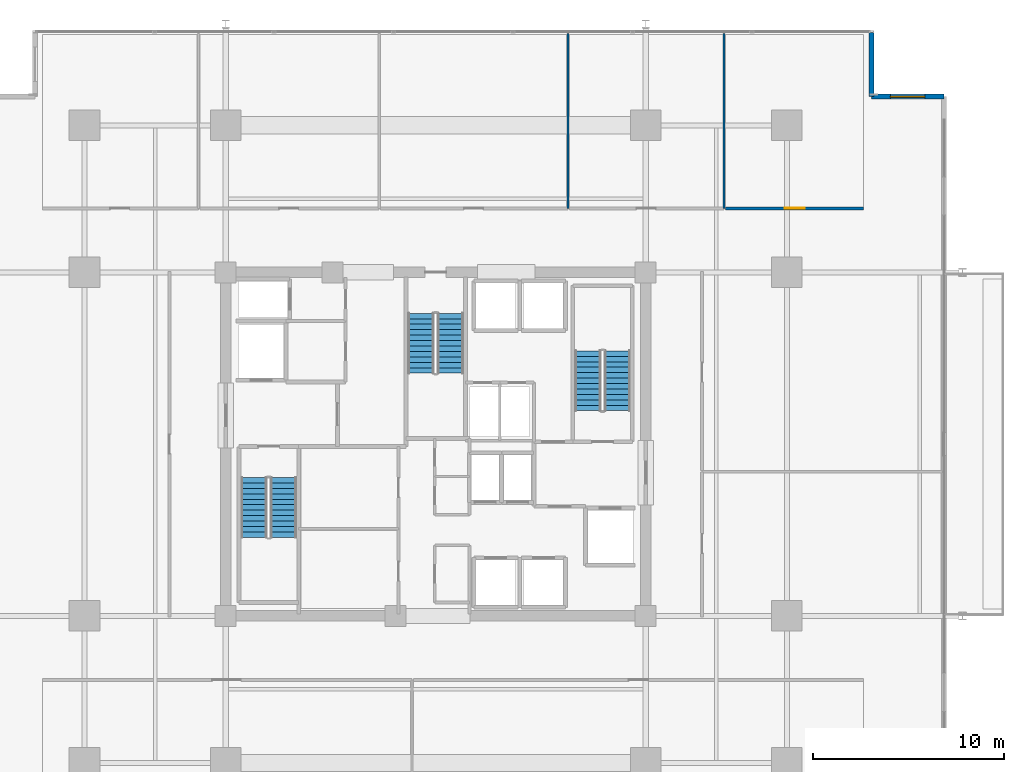
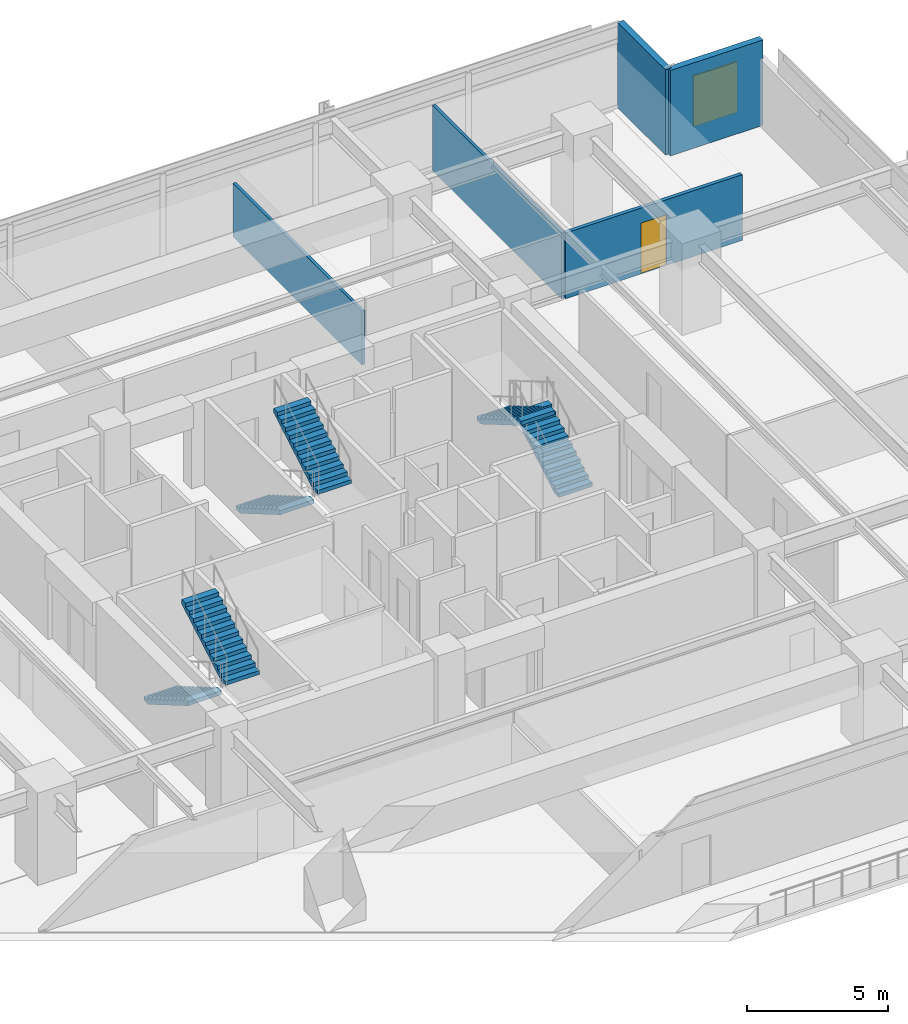
# One storey, part 17 of 22: 6 stair flights, 5 walls, 1 door, 1 window, 2 openings, 3 elements without a shape of their own.
"""IFC4 building model written with IfcOpenShell, lengths in metres."""

from ifc_helpers import new_model, si_unit, direction, frame, frame_2d, origin, place, context, subcontext, project, spatial, polyline, rectangle, outline, extrude, material, layer, layer_set, type_object, element, fill, aggregate, save


model = new_model("IFC4")

# Units and contexts
model_context = context("Model", 3, precision=1e-05, world=origin(), true_north=direction((0.0, 1.0)))
body_context = subcontext(model_context, "Body", "Model", "MODEL_VIEW")
ifc_project = project(units=[si_unit("LENGTHUNIT", "METRE"), si_unit("AREAUNIT", "SQUARE_METRE"), si_unit("VOLUMEUNIT", "CUBIC_METRE"), si_unit("PLANEANGLEUNIT", "RADIAN"), si_unit("MASSUNIT", "GRAM", prefix="KILO")], contexts=[model_context])

# Site, building, storey
site_placement = place(None, origin())
site = spatial("IfcSite", under=ifc_project, at=site_placement, CompositionType="ELEMENT")
building_placement = place(site_placement, origin())
building = spatial("IfcBuilding", under=site, at=building_placement, Name="Kovane Verandah Tower", CompositionType="ELEMENT")
storey_placement = place(building_placement, frame((0.0, 0.0, 180.39990234375)))
storey = spatial("IfcBuildingStorey", under=building, at=storey_placement, Name="L42", CompositionType="ELEMENT", Elevation=180.39990234375)

# Wall, opening, door
ifc_material_1 = material(Name="Fire-Rated Gypsum Stud Partition", Category="gypsum")
ifc_layer_1 = layer(ifc_material_1, 0.14990234375)
ifc_layer_set_1 = layer_set([ifc_layer_1], Name="Fire-Rated Gypsum Stud Partition")
wall_type_1 = type_object("IfcWallType", Name="WL-COR-150", PredefinedType="PARTITIONING", material=ifc_layer_set_1)
wall_1_placement = place(storey_placement, frame((55.176513671875, 39.85009765625, 0.0), z_axis=(0.0, 0.0, 1.0), x_axis=(1.0, 0.0, 0.0)))
wall_1 = element("IfcWall", 1, at=wall_1_placement, inside=storey, type_object=wall_type_1, Name="L42 Executive Office N5 Corridor Partition", PredefinedType="PARTITIONING", context=body_context, shape_type="SweptSolid", body=[
    extrude(rectangle(XDim=7.243408203125, YDim=0.14990234375, at=frame_2d((3.62158203125, 0.0))), origin(), (0.0, 0.0, 1.0), 2.85009765625),
])
opening_1_placement = place(wall_1_placement, frame((3.0966796875, 0.0, 0.0)))
opening_1 = element("IfcOpeningElement", 2, at=opening_1_placement, cuts=wall_1, Name="Opening DR-L42-022", PredefinedType="OPENING", context=body_context, shape_type="SweptSolid", body=[
    extrude(rectangle(XDim=1.050048828125, YDim=2.199951171875, at=frame_2d((0.52490234375, 1.10009765625))), frame((0.0, 0.074951171875, 0.0), z_axis=(0.0, -1.0, 0.0), x_axis=(1.0, 0.0, 0.0)), (0.0, 0.0, 1.0), 0.14990234375),
])
ifc_material_2 = material(Name="FSC Blackbutt Timber Fire-Rated Executive Door", Category="wood")
door_type = type_object("IfcDoorType", Name="DR-EXEC-1050", OperationType="SINGLE_SWING_LEFT", PredefinedType="DOOR", material=ifc_material_2)
door_placement = place(opening_1_placement, origin())
door = element("IfcDoor", 3, at=door_placement, inside=storey, type_object=door_type, Name="L42 Executive Office N5 Entrance Door", OperationType="SINGLE_SWING_LEFT", OverallHeight=2.199951171875, OverallWidth=1.050048828125, PredefinedType="DOOR", context=body_context, shape_type="SweptSolid", body=[
    extrude(rectangle(XDim=1.050048828125, YDim=2.199951171875, at=frame_2d((0.52490234375, 1.10009765625))), frame((0.0, 0.02490234375, 0.0), z_axis=(0.0, -1.0, 0.0), x_axis=(1.0, 0.0, 0.0)), (0.0, 0.0, 1.0), 0.050048828125),
])
fill(opening_1, door)

# Walls
ifc_material_3 = material(Name="Acoustic Fire-Rated Gypsum Partition", Category="gypsum")
ifc_layer_2 = layer(ifc_material_3, 0.1201171875)
ifc_layer_set_2 = layer_set([ifc_layer_2], Name="Acoustic Fire-Rated Gypsum Partition")
wall_type_2 = type_object("IfcWallType", Name="WL-PART-120", PredefinedType="PARTITIONING", material=ifc_layer_set_2)
wall_2_placement = place(storey_placement, frame((46.932861328125, 39.85009765625, 0.0), z_axis=(0.0, 0.0, 1.0), x_axis=(0.0, 1.0, 0.0)))
element("IfcWall", 4, at=wall_2_placement, inside=storey, type_object=wall_type_2, Name="L42 Document and Print Room N3 Dividing Partition", PredefinedType="PARTITIONING", context=body_context, shape_type="SweptSolid", body=[
    extrude(rectangle(XDim=9.14990234375, YDim=0.1201171875, at=frame_2d((4.574951171875, 0.0))), origin(), (0.0, 0.0, 1.0), 2.330078125),
])
wall_3_placement = place(storey_placement, frame((55.106689453125, 39.85009765625, 0.0), z_axis=(0.0, 0.0, 1.0), x_axis=(0.0, 1.0, 0.0)))
element("IfcWall", 5, at=wall_3_placement, inside=storey, type_object=wall_type_2, Name="L42 Open Plan Office N4 Dividing Partition", PredefinedType="PARTITIONING", context=body_context, shape_type="SweptSolid", body=[
    extrude(rectangle(XDim=9.14990234375, YDim=0.1201171875, at=frame_2d((4.574951171875, 0.0))), origin(), (0.0, 0.0, 1.0), 2.85009765625),
])

# Wall, opening, window
ifc_material_4 = material(Name="Concrete C45/55 Insulated Spandrel Wall", Category="concrete")
ifc_layer_3 = layer(ifc_material_4, 0.260009765625)
ifc_layer_set_3 = layer_set([ifc_layer_3], Name="Concrete C45/55 Insulated Spandrel Wall")
wall_type_3 = type_object("IfcWallType", Name="WL-SPANDREL-260", PredefinedType="PARAPET", material=ifc_layer_set_3)
wall_4_placement = place(storey_placement, frame((66.6201171875, 45.699951171875, 0.0), z_axis=(0.0, 0.0, 1.0), x_axis=(-1.0, 0.0, 0.0)))
wall_4 = element("IfcWall", 6, at=wall_4_placement, inside=storey, type_object=wall_type_3, Name="L42 NE Notch Cheek Wall 1", PredefinedType="PARAPET", context=body_context, shape_type="SweptSolid", body=[
    extrude(rectangle(XDim=3.800048828125, YDim=0.260009765625, at=frame_2d((1.89990234375, 0.0))), origin(), (0.0, 0.0, 1.0), 3.7001953125),
])
opening_2_placement = place(wall_4_placement, frame((1.0, 0.0, 0.85009765625)))
opening_2 = element("IfcOpeningElement", 7, at=opening_2_placement, cuts=wall_4, Name="Opening W-03", PredefinedType="OPENING", context=body_context, shape_type="SweptSolid", body=[
    extrude(rectangle(XDim=1.800048828125, YDim=2.199951171875, at=frame_2d((0.89990234375, 1.10009765625))), frame((0.0, 0.1298828125, 0.0), z_axis=(0.0, -1.0, 0.0), x_axis=(1.0, 0.0, 0.0)), (0.0, 0.0, 1.0), 0.260009765625),
])
ifc_material_5 = material(Name="Clear Low-E Laminated Double Glazing in Anodised Frame", Category="glass")
window_type = type_object("IfcWindowType", Name="WN-NOTCH-1800x2200", PartitioningType="SINGLE_PANEL", PredefinedType="WINDOW", material=ifc_material_5)
window_placement = place(opening_2_placement, origin())
window = element("IfcWindow", 8, at=window_placement, inside=storey, type_object=window_type, Name="L42 NE Re-Entrant Corner Operable Window", OverallHeight=2.199951171875, OverallWidth=1.800048828125, PartitioningType="SINGLE_PANEL", PredefinedType="WINDOW", context=body_context, shape_type="SweptSolid", body=[
    extrude(rectangle(XDim=1.800048828125, YDim=2.199951171875, at=frame_2d((0.89990234375, 1.10009765625))), frame((0.0, 0.030029296875, 0.0), z_axis=(0.0, -1.0, 0.0), x_axis=(1.0, 0.0, 0.0)), (0.0, 0.0, 1.0), 0.06005859375),
])
fill(opening_2, window)

# Wall
wall_5_placement = place(storey_placement, frame((62.820068359375, 45.699951171875, 0.0), z_axis=(0.0, 0.0, 1.0), x_axis=(0.0, 1.0, 0.0)))
element("IfcWall", 9, at=wall_5_placement, inside=storey, type_object=wall_type_3, Name="L42 NE Notch Cheek Wall 2", PredefinedType="PARAPET", context=body_context, shape_type="SweptSolid", body=[
    extrude(rectangle(XDim=3.400146484375, YDim=0.260009765625, at=frame_2d((1.7001953125, 0.0))), origin(), (0.0, 0.0, 1.0), 3.7001953125),
])

# Stair, stair flights
ifc_material_6 = material(Name="Concrete C45/55", Category="concrete")
stair_type = type_object("IfcStairType", Name="ST-CORE-1380", PredefinedType="HALF_TURN_STAIR", material=ifc_material_6)
stair_1_placement = place(storey_placement, origin())
stair_1 = element("IfcStair", 10, at=stair_1_placement, inside=storey, type_object=stair_type, Name="L42 Exit Stair ST-01", PredefinedType="HALF_TURN_STAIR")
stair_flight_type = type_object("IfcStairFlightType", Name="STF-CORE-1380", PredefinedType="STRAIGHT", material=ifc_material_6)
stair_flight_1_placement = place(storey_placement, frame((30.489990234375, 25.75, 0.0), z_axis=(0.0, 0.0, 1.0), x_axis=(0.0, -1.0, 0.0)))
stair_flight_1 = element("IfcStairFlight", 11, at=stair_flight_1_placement, type_object=stair_flight_type, Name="ST-01 flight 1", NumberOfRisers=12, NumberOfTreads=11, PredefinedType="STRAIGHT", RiserHeight=0.166666667, TreadLength=0.285, context=body_context, shape_type="SweptSolid", body=[
    extrude(outline(polyline([(0.0, 0.0), (0.0, 0.166748046875), (0.284912109375, 0.166748046875), (0.284912109375, 0.333251953125), (0.570068359375, 0.333251953125), (0.570068359375, 0.5), (0.85498046875, 0.5), (0.85498046875, 0.666748046875), (1.139892578125, 0.666748046875), (1.139892578125, 0.833251953125), (1.425048828125, 0.833251953125), (1.425048828125, 1.0), (1.7099609375, 1.0), (1.7099609375, 1.166748046875), (1.9951171875, 1.166748046875), (1.9951171875, 1.333251953125), (2.280029296875, 1.333251953125), (2.280029296875, 1.5), (2.56494140625, 1.5), (2.56494140625, 1.666748046875), (2.85009765625, 1.666748046875), (2.85009765625, 1.833251953125), (3.135009765625, 1.833251953125), (3.135009765625, 2.0), (3.135009765625, 1.65966796875), (0.296875, 0.0), (0.0, 0.0)])), frame((0.0, 0.68994140625, 0.0), z_axis=(0.0, -1.0, 0.0), x_axis=(1.0, 0.0, 0.0)), (0.0, 0.0, 1.0), 1.3798828125),
])
stair_flight_2_placement = place(storey_placement, frame((32.030029296875, 22.614990234375, 2.0), z_axis=(0.0, 0.0, 1.0), x_axis=(0.0, 1.0, 0.0)))
stair_flight_2 = element("IfcStairFlight", 12, at=stair_flight_2_placement, type_object=stair_flight_type, Name="ST-01 flight 2", NumberOfRisers=12, NumberOfTreads=11, PredefinedType="STRAIGHT", RiserHeight=0.166666667, TreadLength=0.285, context=body_context, shape_type="SweptSolid", body=[
    extrude(outline(polyline([(0.0, 0.0), (0.0, 0.166748046875), (0.284912109375, 0.166748046875), (0.284912109375, 0.333251953125), (0.570068359375, 0.333251953125), (0.570068359375, 0.5), (0.85498046875, 0.5), (0.85498046875, 0.666748046875), (1.139892578125, 0.666748046875), (1.139892578125, 0.833251953125), (1.425048828125, 0.833251953125), (1.425048828125, 1.0), (1.7099609375, 1.0), (1.7099609375, 1.166748046875), (1.9951171875, 1.166748046875), (1.9951171875, 1.333251953125), (2.280029296875, 1.333251953125), (2.280029296875, 1.5), (2.56494140625, 1.5), (2.56494140625, 1.666748046875), (2.85009765625, 1.666748046875), (2.85009765625, 1.833251953125), (3.135009765625, 1.833251953125), (3.135009765625, 2.0), (3.135009765625, 1.65966796875), (0.296875, 0.0), (0.0, 0.0)])), frame((0.0, 0.68994140625, 0.0), z_axis=(0.0, -1.0, 0.0), x_axis=(1.0, 0.0, 0.0)), (0.0, 0.0, 1.0), 1.3798828125),
])
aggregate(stair_1, [stair_flight_1, stair_flight_2])

stair_2_placement = place(storey_placement, origin())
stair_2 = element("IfcStair", 13, at=stair_2_placement, inside=storey, type_object=stair_type, Name="L42 Exit Stair ST-02", PredefinedType="HALF_TURN_STAIR")
stair_flight_3_placement = place(storey_placement, frame((49.510009765625, 29.25, 0.0), z_axis=(0.0, 0.0, 1.0), x_axis=(0.0, 1.0, 0.0)))
stair_flight_3 = element("IfcStairFlight", 14, at=stair_flight_3_placement, type_object=stair_flight_type, Name="ST-02 flight 1", NumberOfRisers=12, NumberOfTreads=11, PredefinedType="STRAIGHT", RiserHeight=0.166666667, TreadLength=0.285, context=body_context, shape_type="SweptSolid", body=[
    extrude(outline(polyline([(0.0, 0.0), (0.0, 0.166748046875), (0.284912109375, 0.166748046875), (0.284912109375, 0.333251953125), (0.570068359375, 0.333251953125), (0.570068359375, 0.5), (0.85498046875, 0.5), (0.85498046875, 0.666748046875), (1.139892578125, 0.666748046875), (1.139892578125, 0.833251953125), (1.425048828125, 0.833251953125), (1.425048828125, 1.0), (1.7099609375, 1.0), (1.7099609375, 1.166748046875), (1.9951171875, 1.166748046875), (1.9951171875, 1.333251953125), (2.280029296875, 1.333251953125), (2.280029296875, 1.5), (2.56494140625, 1.5), (2.56494140625, 1.666748046875), (2.85009765625, 1.666748046875), (2.85009765625, 1.833251953125), (3.135009765625, 1.833251953125), (3.135009765625, 2.0), (3.135009765625, 1.65966796875), (0.296875, 0.0), (0.0, 0.0)])), frame((0.0, 0.68994140625, 0.0), z_axis=(0.0, -1.0, 0.0), x_axis=(1.0, 0.0, 0.0)), (0.0, 0.0, 1.0), 1.3798828125),
])
stair_flight_4_placement = place(storey_placement, frame((47.969970703125, 32.385009765625, 2.0), z_axis=(0.0, 0.0, 1.0), x_axis=(0.0, -1.0, 0.0)))
stair_flight_4 = element("IfcStairFlight", 15, at=stair_flight_4_placement, type_object=stair_flight_type, Name="ST-02 flight 2", NumberOfRisers=12, NumberOfTreads=11, PredefinedType="STRAIGHT", RiserHeight=0.166666667, TreadLength=0.285, context=body_context, shape_type="SweptSolid", body=[
    extrude(outline(polyline([(0.0, 0.0), (0.0, 0.166748046875), (0.284912109375, 0.166748046875), (0.284912109375, 0.333251953125), (0.570068359375, 0.333251953125), (0.570068359375, 0.5), (0.85498046875, 0.5), (0.85498046875, 0.666748046875), (1.139892578125, 0.666748046875), (1.139892578125, 0.833251953125), (1.425048828125, 0.833251953125), (1.425048828125, 1.0), (1.7099609375, 1.0), (1.7099609375, 1.166748046875), (1.9951171875, 1.166748046875), (1.9951171875, 1.333251953125), (2.280029296875, 1.333251953125), (2.280029296875, 1.5), (2.56494140625, 1.5), (2.56494140625, 1.666748046875), (2.85009765625, 1.666748046875), (2.85009765625, 1.833251953125), (3.135009765625, 1.833251953125), (3.135009765625, 2.0), (3.135009765625, 1.65966796875), (0.296875, 0.0), (0.0, 0.0)])), frame((0.0, 0.68994140625, 0.0), z_axis=(0.0, -1.0, 0.0), x_axis=(1.0, 0.0, 0.0)), (0.0, 0.0, 1.0), 1.3798828125),
])
aggregate(stair_2, [stair_flight_3, stair_flight_4])

stair_3_placement = place(storey_placement, origin())
stair_3 = element("IfcStair", 16, at=stair_3_placement, inside=storey, type_object=stair_type, Name="L42 Exit Stair ST-03", PredefinedType="HALF_TURN_STAIR")
stair_flight_5_placement = place(storey_placement, frame((39.22998046875, 34.35009765625, 0.0), z_axis=(0.0, 0.0, 1.0), x_axis=(0.0, -1.0, 0.0)))
stair_flight_5 = element("IfcStairFlight", 17, at=stair_flight_5_placement, type_object=stair_flight_type, Name="ST-03 flight 1", NumberOfRisers=12, NumberOfTreads=11, PredefinedType="STRAIGHT", RiserHeight=0.166666667, TreadLength=0.285, context=body_context, shape_type="SweptSolid", body=[
    extrude(outline(polyline([(0.0, 0.0), (0.0, 0.166748046875), (0.284912109375, 0.166748046875), (0.284912109375, 0.333251953125), (0.570068359375, 0.333251953125), (0.570068359375, 0.5), (0.85498046875, 0.5), (0.85498046875, 0.666748046875), (1.139892578125, 0.666748046875), (1.139892578125, 0.833251953125), (1.425048828125, 0.833251953125), (1.425048828125, 1.0), (1.7099609375, 1.0), (1.7099609375, 1.166748046875), (1.9951171875, 1.166748046875), (1.9951171875, 1.333251953125), (2.280029296875, 1.333251953125), (2.280029296875, 1.5), (2.56494140625, 1.5), (2.56494140625, 1.666748046875), (2.85009765625, 1.666748046875), (2.85009765625, 1.833251953125), (3.135009765625, 1.833251953125), (3.135009765625, 2.0), (3.135009765625, 1.65966796875), (0.296875, 0.0), (0.0, 0.0)])), frame((0.0, 0.68994140625, 0.0), z_axis=(0.0, -1.0, 0.0), x_axis=(1.0, 0.0, 0.0)), (0.0, 0.0, 1.0), 1.3798828125),
])
stair_flight_6_placement = place(storey_placement, frame((40.77001953125, 31.215087890625, 2.0), z_axis=(0.0, 0.0, 1.0), x_axis=(0.0, 1.0, 0.0)))
stair_flight_6 = element("IfcStairFlight", 18, at=stair_flight_6_placement, type_object=stair_flight_type, Name="ST-03 flight 2", NumberOfRisers=12, NumberOfTreads=11, PredefinedType="STRAIGHT", RiserHeight=0.166666667, TreadLength=0.285, context=body_context, shape_type="SweptSolid", body=[
    extrude(outline(polyline([(0.0, 0.0), (0.0, 0.166748046875), (0.284912109375, 0.166748046875), (0.284912109375, 0.333251953125), (0.570068359375, 0.333251953125), (0.570068359375, 0.5), (0.85498046875, 0.5), (0.85498046875, 0.666748046875), (1.139892578125, 0.666748046875), (1.139892578125, 0.833251953125), (1.425048828125, 0.833251953125), (1.425048828125, 1.0), (1.7099609375, 1.0), (1.7099609375, 1.166748046875), (1.9951171875, 1.166748046875), (1.9951171875, 1.333251953125), (2.280029296875, 1.333251953125), (2.280029296875, 1.5), (2.56494140625, 1.5), (2.56494140625, 1.666748046875), (2.85009765625, 1.666748046875), (2.85009765625, 1.833251953125), (3.135009765625, 1.833251953125), (3.135009765625, 2.0), (3.135009765625, 1.65966796875), (0.296875, 0.0), (0.0, 0.0)])), frame((0.0, 0.68994140625, 0.0), z_axis=(0.0, -1.0, 0.0), x_axis=(1.0, 0.0, 0.0)), (0.0, 0.0, 1.0), 1.3798828125),
])
aggregate(stair_3, [stair_flight_5, stair_flight_6])

save(model, "model.ifc")
